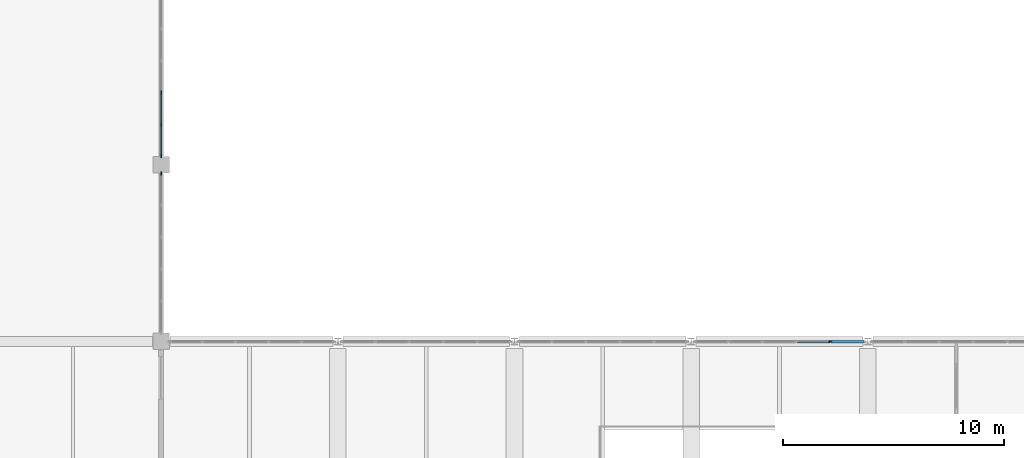
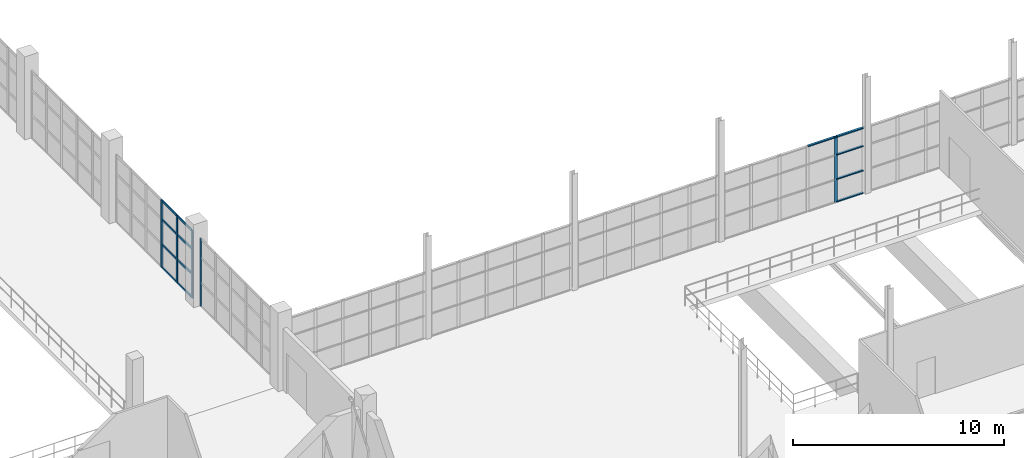
# One storey, part 21 of 93: 18 members, 3 elements without a shape of their own.
"""IFC4 building model written with IfcOpenShell, lengths in metres."""

from ifc_helpers import new_model, si_unit, direction, frame, origin, origin_2d, place, context, subcontext, project, spatial, rectangle, extrude, material, layer, layer_set, material_profile, profile_set, type_object, element, aggregate, save


model = new_model("IFC4")

# Units and contexts
model_context = context("Model", 3, precision=1e-05, world=origin(), true_north=direction((0.0, 1.0)))
body_context = subcontext(model_context, "Body", "Model", "MODEL_VIEW")
ifc_project = project(units=[si_unit("LENGTHUNIT", "METRE"), si_unit("AREAUNIT", "SQUARE_METRE"), si_unit("VOLUMEUNIT", "CUBIC_METRE"), si_unit("PLANEANGLEUNIT", "RADIAN"), si_unit("MASSUNIT", "GRAM", prefix="KILO")], contexts=[model_context])

# Site, building, storey
site_placement = place(None, origin())
site = spatial("IfcSite", under=ifc_project, at=site_placement, CompositionType="ELEMENT")
building_placement = place(site_placement, origin())
building = spatial("IfcBuilding", under=site, at=building_placement, Name="Drelvana Railside Aquatics Centre", CompositionType="ELEMENT")
storey_placement = place(building_placement, frame((0.0, 0.0, 5.39990234375)))
storey = spatial("IfcBuildingStorey", under=building, at=storey_placement, Name="L01", CompositionType="ELEMENT", Elevation=5.39990234375)

# Curtain wall, member
ifc_material_1 = material(Name="Bronze-anodised aluminium curtain wall", Category="aluminium")
ifc_layer = layer(ifc_material_1, 0.1650390625, Name="Bronze-anodised aluminium curtain wall")
ifc_layer_set = layer_set([ifc_layer], Name="Bronze-anodised aluminium curtain wall")
curtain_wall_type = type_object("IfcCurtainWallType", Name="CW-Z5-COURT", PredefinedType="NOTDEFINED", material=ifc_layer_set)
curtain_wall_1_placement = place(storey_placement, origin())
curtain_wall_1 = element("IfcCurtainWall", 1, at=curtain_wall_1_placement, inside=storey, type_object=curtain_wall_type, Name="Curtain wall CW-05-056", PredefinedType="NOTDEFINED")
ifc_material_2 = material(Name="Bronze-anodised aluminium 6063-T6", Category="aluminium")
ifc_material_profile_1 = material_profile(ifc_material_2, rectangle(XDim=0.06005859375, YDim=0.14990234375, at=origin_2d()), Name="ALU-M 60x150")
ifc_profile_set_1 = profile_set([ifc_material_profile_1], Name="Bronze-anodised aluminium 6063-T6")
member_type_1 = type_object("IfcMemberType", Name="CW-Z5-COURT-MUL", PredefinedType="MULLION", material=ifc_profile_set_1)
member_1_placement = place(storey_placement, frame((96.0, 31.60107421875, -0.005859375), z_axis=(0.0, 0.0, 1.0), x_axis=(-1.0, 0.0, 0.0)))
member_1 = element("IfcMember", 2, at=member_1_placement, type_object=member_type_1, Name="CW-05 mullion 6", PredefinedType="MULLION", context=body_context, shape_type="SweptSolid", body=[
    extrude(rectangle(XDim=0.06005859375, YDim=0.14990234375, at=origin_2d()), origin(), (0.0, 0.0, 1.0), 3.906005859375),
])
aggregate(curtain_wall_1, [member_1])

# Curtain wall, members
curtain_wall_2_placement = place(storey_placement, origin())
curtain_wall_2 = element("IfcCurtainWall", 3, at=curtain_wall_2_placement, inside=storey, type_object=curtain_wall_type, Name="Curtain wall CW-05-060", PredefinedType="NOTDEFINED")
member_2_placement = place(storey_placement, frame((96.0, 32.39892578125, -0.005859375), z_axis=(0.0, 0.0, 1.0), x_axis=(-1.0, 0.0, 0.0)))
member_2 = element("IfcMember", 4, at=member_2_placement, type_object=member_type_1, Name="CW-05 mullion 1", PredefinedType="MULLION", context=body_context, shape_type="SweptSolid", body=[
    extrude(rectangle(XDim=0.06005859375, YDim=0.14990234375, at=origin_2d()), origin(), (0.0, 0.0, 1.0), 3.906005859375),
])
member_3_placement = place(storey_placement, frame((96.0, 33.8212890625, -0.005859375), z_axis=(0.0, 0.0, 1.0), x_axis=(-1.0, 0.0, 0.0)))
member_3 = element("IfcMember", 5, at=member_3_placement, type_object=member_type_1, Name="CW-05 mullion 2", PredefinedType="MULLION", context=body_context, shape_type="SweptSolid", body=[
    extrude(rectangle(XDim=0.06005859375, YDim=0.14990234375, at=origin_2d()), origin(), (0.0, 0.0, 1.0), 3.906005859375),
])
member_4_placement = place(storey_placement, frame((96.0, 35.273681640625, -0.005859375), z_axis=(0.0, 0.0, 1.0), x_axis=(-1.0, 0.0, 0.0)))
member_4 = element("IfcMember", 6, at=member_4_placement, type_object=member_type_1, Name="CW-05 mullion 3", PredefinedType="MULLION", context=body_context, shape_type="SweptSolid", body=[
    extrude(rectangle(XDim=0.06005859375, YDim=0.14990234375, at=origin_2d()), origin(), (0.0, 0.0, 1.0), 3.906005859375),
])

# Curtain wall, member
curtain_wall_3_placement = place(storey_placement, origin())
curtain_wall_3 = element("IfcCurtainWall", 7, at=curtain_wall_3_placement, inside=storey, type_object=curtain_wall_type, Name="Curtain wall CW-05-109", PredefinedType="NOTDEFINED")
member_5_placement = place(storey_placement, frame((126.313720703125, 24.0, -0.005859375), z_axis=(0.0, 0.0, 1.0), x_axis=(0.0, 1.0, 0.0)))
member_5 = element("IfcMember", 8, at=member_5_placement, type_object=member_type_1, Name="CW-05 mullion 5", PredefinedType="MULLION", context=body_context, shape_type="SweptSolid", body=[
    extrude(rectangle(XDim=0.06005859375, YDim=0.14990234375, at=origin_2d()), origin(), (0.0, 0.0, 1.0), 3.805908203125),
])

# Member
ifc_material_profile_2 = material_profile(ifc_material_2, rectangle(XDim=0.1201171875, YDim=0.06005859375, at=origin_2d()), Name="ALU-T 60x120")
ifc_profile_set_2 = profile_set([ifc_material_profile_2], Name="Bronze-anodised aluminium 6063-T6")
member_type_2 = type_object("IfcMemberType", Name="CW-Z5-COURT-TRN", PredefinedType="USERDEFINED", material=ifc_profile_set_2)
member_6_placement = place(storey_placement, frame((96.0, 32.424072265625, 0.024169921875), z_axis=(0.0, 1.0, 0.0), x_axis=(0.0, 0.0, 1.0)))
member_6 = element("IfcMember", 9, at=member_6_placement, type_object=member_type_2, Name="CW-05 transom 1.1", ObjectType="TRANSOM", PredefinedType="USERDEFINED", context=body_context, shape_type="SweptSolid", body=[
    extrude(rectangle(XDim=0.1201171875, YDim=0.06005859375, at=origin_2d()), origin(), (0.0, 0.0, 1.0), 1.372314453125),
])

member_7_placement = place(storey_placement, frame((96.0, 32.424072265625, 1.361083984375), z_axis=(0.0, 1.0, 0.0), x_axis=(0.0, 0.0, 1.0)))
member_7 = element("IfcMember", 10, at=member_7_placement, type_object=member_type_2, Name="CW-05 transom 1.2", ObjectType="TRANSOM", PredefinedType="USERDEFINED", context=body_context, shape_type="SweptSolid", body=[
    extrude(rectangle(XDim=0.1201171875, YDim=0.06005859375, at=origin_2d()), origin(), (0.0, 0.0, 1.0), 1.372314453125),
])

member_8_placement = place(storey_placement, frame((96.0, 32.424072265625, 2.80615234375), z_axis=(0.0, 1.0, 0.0), x_axis=(0.0, 0.0, 1.0)))
member_8 = element("IfcMember", 11, at=member_8_placement, type_object=member_type_2, Name="CW-05 transom 1.3", ObjectType="TRANSOM", PredefinedType="USERDEFINED", context=body_context, shape_type="SweptSolid", body=[
    extrude(rectangle(XDim=0.1201171875, YDim=0.06005859375, at=origin_2d()), origin(), (0.0, 0.0, 1.0), 1.372314453125),
])

member_9_placement = place(storey_placement, frame((96.0, 32.424072265625, 3.8701171875), z_axis=(0.0, 1.0, 0.0), x_axis=(0.0, 0.0, 1.0)))
member_9 = element("IfcMember", 12, at=member_9_placement, type_object=member_type_2, Name="CW-05 transom 1.4", ObjectType="TRANSOM", PredefinedType="USERDEFINED", context=body_context, shape_type="SweptSolid", body=[
    extrude(rectangle(XDim=0.1201171875, YDim=0.06005859375, at=origin_2d()), origin(), (0.0, 0.0, 1.0), 1.372314453125),
])

member_10_placement = place(storey_placement, frame((96.0, 33.846435546875, 0.024169921875), z_axis=(0.0, 1.0, 0.0), x_axis=(0.0, 0.0, 1.0)))
member_10 = element("IfcMember", 13, at=member_10_placement, type_object=member_type_2, Name="CW-05 transom 2.1", ObjectType="TRANSOM", PredefinedType="USERDEFINED", context=body_context, shape_type="SweptSolid", body=[
    extrude(rectangle(XDim=0.1201171875, YDim=0.06005859375, at=origin_2d()), origin(), (0.0, 0.0, 1.0), 1.40234375),
])

member_11_placement = place(storey_placement, frame((96.0, 33.846435546875, 1.361083984375), z_axis=(0.0, 1.0, 0.0), x_axis=(0.0, 0.0, 1.0)))
member_11 = element("IfcMember", 14, at=member_11_placement, type_object=member_type_2, Name="CW-05 transom 2.2", ObjectType="TRANSOM", PredefinedType="USERDEFINED", context=body_context, shape_type="SweptSolid", body=[
    extrude(rectangle(XDim=0.1201171875, YDim=0.06005859375, at=origin_2d()), origin(), (0.0, 0.0, 1.0), 1.40234375),
])

member_12_placement = place(storey_placement, frame((96.0, 33.846435546875, 2.80615234375), z_axis=(0.0, 1.0, 0.0), x_axis=(0.0, 0.0, 1.0)))
member_12 = element("IfcMember", 15, at=member_12_placement, type_object=member_type_2, Name="CW-05 transom 2.3", ObjectType="TRANSOM", PredefinedType="USERDEFINED", context=body_context, shape_type="SweptSolid", body=[
    extrude(rectangle(XDim=0.1201171875, YDim=0.06005859375, at=origin_2d()), origin(), (0.0, 0.0, 1.0), 1.40234375),
])

member_13_placement = place(storey_placement, frame((96.0, 33.846435546875, 3.8701171875), z_axis=(0.0, 1.0, 0.0), x_axis=(0.0, 0.0, 1.0)))
member_13 = element("IfcMember", 16, at=member_13_placement, type_object=member_type_2, Name="CW-05 transom 2.4", ObjectType="TRANSOM", PredefinedType="USERDEFINED", context=body_context, shape_type="SweptSolid", body=[
    extrude(rectangle(XDim=0.1201171875, YDim=0.06005859375, at=origin_2d()), origin(), (0.0, 0.0, 1.0), 1.40234375),
])

aggregate(curtain_wall_2, [member_2, member_3, member_4, member_6, member_7, member_8, member_9, member_10, member_11, member_12, member_13])

member_14_placement = place(storey_placement, frame((124.796142578125, 24.0, 3.77001953125), z_axis=(1.0, 0.0, 0.0), x_axis=(0.0, 1.0, 0.0)))
member_14 = element("IfcMember", 17, at=member_14_placement, type_object=member_type_2, Name="CW-05 transom 4.4", ObjectType="TRANSOM", PredefinedType="USERDEFINED", context=body_context, shape_type="SweptSolid", body=[
    extrude(rectangle(XDim=0.1201171875, YDim=0.06005859375, at=origin_2d()), origin(), (0.0, 0.0, 1.0), 1.492431640625),
])

member_15_placement = place(storey_placement, frame((126.338623046875, 24.0, 0.024169921875), z_axis=(1.0, 0.0, 0.0), x_axis=(0.0, 1.0, 0.0)))
member_15 = element("IfcMember", 18, at=member_15_placement, type_object=member_type_2, Name="CW-05 transom 5.1", ObjectType="TRANSOM", PredefinedType="USERDEFINED", context=body_context, shape_type="SweptSolid", body=[
    extrude(rectangle(XDim=0.1201171875, YDim=0.06005859375, at=origin_2d()), origin(), (0.0, 0.0, 1.0), 1.46240234375),
])

member_16_placement = place(storey_placement, frame((126.338623046875, 24.0, 1.326171875), z_axis=(1.0, 0.0, 0.0), x_axis=(0.0, 1.0, 0.0)))
member_16 = element("IfcMember", 19, at=member_16_placement, type_object=member_type_2, Name="CW-05 transom 5.2", ObjectType="TRANSOM", PredefinedType="USERDEFINED", context=body_context, shape_type="SweptSolid", body=[
    extrude(rectangle(XDim=0.1201171875, YDim=0.06005859375, at=origin_2d()), origin(), (0.0, 0.0, 1.0), 1.46240234375),
])

member_17_placement = place(storey_placement, frame((126.338623046875, 24.0, 2.734130859375), z_axis=(1.0, 0.0, 0.0), x_axis=(0.0, 1.0, 0.0)))
member_17 = element("IfcMember", 20, at=member_17_placement, type_object=member_type_2, Name="CW-05 transom 5.3", ObjectType="TRANSOM", PredefinedType="USERDEFINED", context=body_context, shape_type="SweptSolid", body=[
    extrude(rectangle(XDim=0.1201171875, YDim=0.06005859375, at=origin_2d()), origin(), (0.0, 0.0, 1.0), 1.46240234375),
])

member_18_placement = place(storey_placement, frame((126.338623046875, 24.0, 3.77001953125), z_axis=(1.0, 0.0, 0.0), x_axis=(0.0, 1.0, 0.0)))
member_18 = element("IfcMember", 21, at=member_18_placement, type_object=member_type_2, Name="CW-05 transom 5.4", ObjectType="TRANSOM", PredefinedType="USERDEFINED", context=body_context, shape_type="SweptSolid", body=[
    extrude(rectangle(XDim=0.1201171875, YDim=0.06005859375, at=origin_2d()), origin(), (0.0, 0.0, 1.0), 1.46240234375),
])

aggregate(curtain_wall_3, [member_5, member_14, member_15, member_16, member_17, member_18])

save(model, "model.ifc")
